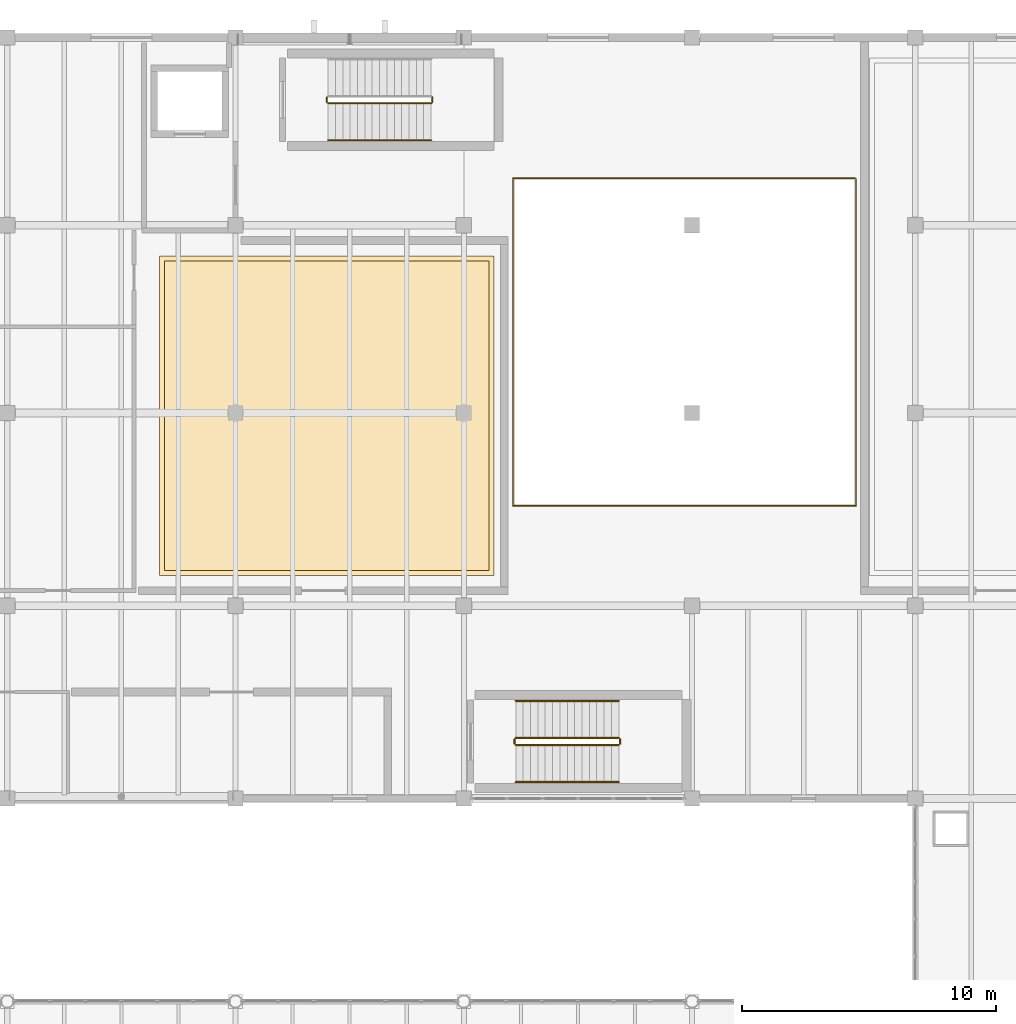
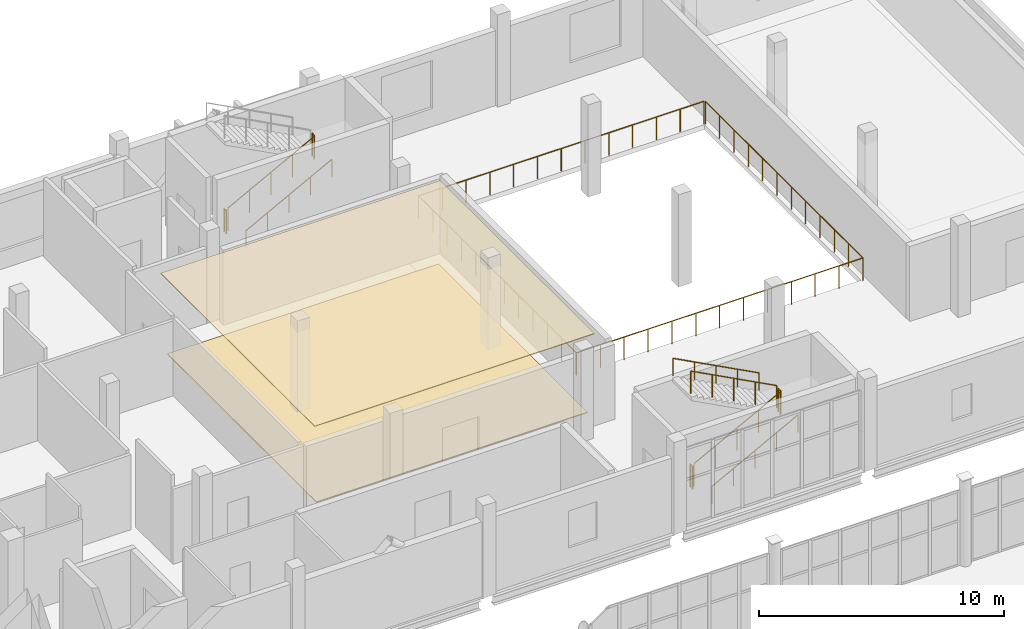
# One storey, part 135 of 136: 12 railings, 2 coverings.
"""IFC4 building model written with IfcOpenShell, lengths in metres."""

from ifc_helpers import new_model, si_unit, direction, frame, origin, origin_2d, place, context, subcontext, project, spatial, polyline, circle, outline, extrude, material, layer, layer_set, type_object, element, save


model = new_model("IFC4")

# Units and contexts
model_context = context("Model", 3, precision=1e-05, world=origin(), true_north=direction((0.0, 1.0)))
body_context = subcontext(model_context, "Body", "Model", "MODEL_VIEW")
ifc_project = project(units=[si_unit("LENGTHUNIT", "METRE"), si_unit("AREAUNIT", "SQUARE_METRE"), si_unit("VOLUMEUNIT", "CUBIC_METRE"), si_unit("PLANEANGLEUNIT", "RADIAN"), si_unit("MASSUNIT", "GRAM", prefix="KILO")], contexts=[model_context])

# Site, building, storey
site_placement = place(None, origin())
site = spatial("IfcSite", under=ifc_project, at=site_placement, CompositionType="ELEMENT")
building_placement = place(site_placement, origin())
building = spatial("IfcBuilding", under=site, at=building_placement, Name="Shengluoqiao Park Theatre", CompositionType="ELEMENT")
storey_placement = place(building_placement, frame((0.0, 0.0, 10.0)))
storey = spatial("IfcBuildingStorey", under=building, at=storey_placement, Name="L02", CompositionType="ELEMENT", Elevation=10.0)

# Coverings
ifc_material_1 = material(Name="Perforated timber acoustic", Category="wood")
ifc_layer_1 = layer(ifc_material_1, 0.0400390625, Name="Perforated timber acoustic")
ifc_layer_set_1 = layer_set([ifc_layer_1], Name="Perforated timber acoustic")
covering_type_1 = type_object("IfcCoveringType", Name="INT-COV-CLG2", PredefinedType="CEILING", material=ifc_layer_set_1)
covering_1_placement = place(storey_placement, frame((0.0, 0.0, 3.969970703125)))
element("IfcCovering", 1, at=covering_1_placement, inside=storey, type_object=covering_type_1, Name="Orchestra Rehearsal Perforated Timber Ceiling", PredefinedType="CEILING", context=body_context, shape_type="SweptSolid", body=[
    extrude(outline(polyline([(127.39990234375, 92.800048828125), (140.60009765625, 92.800048828125), (140.60009765625, 105.39990234375), (127.39990234375, 105.39990234375), (127.39990234375, 92.800048828125)])), origin(), (0.0, 0.0, 1.0), 0.0400390625),
])
ifc_material_2 = material(Name="Engineered oak acoustic parquet", Category="wood")
ifc_layer_2 = layer(ifc_material_2, 0.034912109375, Name="Engineered oak acoustic parquet")
ifc_layer_set_2 = layer_set([ifc_layer_2], Name="Engineered oak acoustic parquet")
covering_type_2 = type_object("IfcCoveringType", Name="INT-COV-FLR2", PredefinedType="FLOORING", material=ifc_layer_set_2)
covering_2_placement = place(storey_placement, origin())
element("IfcCovering", 2, at=covering_2_placement, inside=storey, type_object=covering_type_2, Name="Orchestra Rehearsal Oak Parquet", PredefinedType="FLOORING", context=body_context, shape_type="SweptSolid", body=[
    extrude(outline(polyline([(127.60009765625, 93.0), (140.39990234375, 93.0), (140.39990234375, 105.199951171875), (127.60009765625, 105.199951171875), (127.60009765625, 93.0)])), origin(), (0.0, 0.0, 1.0), 0.034912109375),
])

# Railings
ifc_material_3 = material(Name="Steel Q355", Category="steel")
railing_type_1 = type_object("IfcRailingType", Name="INT-RL-FLY115", PredefinedType="GUARDRAIL", material=ifc_material_3)
railing_1_placement = place(storey_placement, frame((141.340087890625, 95.5400390625, 0.0)))
element("IfcRailing", 3, at=railing_1_placement, inside=storey, type_object=railing_type_1, Name="L02 VOID-L02-PAINT South-East Balustrade 0012", PredefinedType="GUARDRAIL", context=body_context, shape_type="SweptSolid", body=[
    extrude(circle(Radius=0.02392578125, at=origin_2d()), frame((0.0, 0.0, 1.1259765625), z_axis=(1.0, 0.0, 0.0), x_axis=(0.0, 1.0, 0.0)), (0.0, 0.0, 1.0), 13.52001953125),
    extrude(circle(Radius=0.02392578125, at=origin_2d()), frame((13.52001953125, 0.0, 1.1259765625), z_axis=(0.0, 1.0, 0.0), x_axis=(-1.0, 0.0, 0.0)), (0.0, 0.0, 1.0), 12.8798828125),
    extrude(circle(Radius=0.02099609375, at=origin_2d()), origin(), (0.0, 0.0, 1.0), 1.101806640625),
    extrude(circle(Radius=0.02099609375, at=origin_2d()), frame((1.126708984375, 0.0, 0.0)), (0.0, 0.0, 1.0), 1.101806640625),
    extrude(circle(Radius=0.02099609375, at=origin_2d()), frame((2.25341796875, 0.0, 0.0)), (0.0, 0.0, 1.0), 1.101806640625),
    extrude(circle(Radius=0.02099609375, at=origin_2d()), frame((3.3798828125, 0.0, 0.0)), (0.0, 0.0, 1.0), 1.101806640625),
    extrude(circle(Radius=0.02099609375, at=origin_2d()), frame((4.506591796875, 0.0, 0.0)), (0.0, 0.0, 1.0), 1.101806640625),
    extrude(circle(Radius=0.02099609375, at=origin_2d()), frame((5.63330078125, 0.0, 0.0)), (0.0, 0.0, 1.0), 1.101806640625),
    extrude(circle(Radius=0.02099609375, at=origin_2d()), frame((6.760009765625, 0.0, 0.0)), (0.0, 0.0, 1.0), 1.101806640625),
    extrude(circle(Radius=0.02099609375, at=origin_2d()), frame((7.88671875, 0.0, 0.0)), (0.0, 0.0, 1.0), 1.101806640625),
    extrude(circle(Radius=0.02099609375, at=origin_2d()), frame((9.013427734375, 0.0, 0.0)), (0.0, 0.0, 1.0), 1.101806640625),
    extrude(circle(Radius=0.02099609375, at=origin_2d()), frame((10.14013671875, 0.0, 0.0)), (0.0, 0.0, 1.0), 1.101806640625),
    extrude(circle(Radius=0.02099609375, at=origin_2d()), frame((11.2666015625, 0.0, 0.0)), (0.0, 0.0, 1.0), 1.101806640625),
    extrude(circle(Radius=0.02099609375, at=origin_2d()), frame((12.393310546875, 0.0, 0.0)), (0.0, 0.0, 1.0), 1.101806640625),
    extrude(circle(Radius=0.02099609375, at=origin_2d()), frame((13.52001953125, 0.0, 0.0)), (0.0, 0.0, 1.0), 1.101806640625),
    extrude(circle(Radius=0.02099609375, at=origin_2d()), frame((13.52001953125, 1.1708984375, 0.0)), (0.0, 0.0, 1.0), 1.101806640625),
    extrude(circle(Radius=0.02099609375, at=origin_2d()), frame((13.52001953125, 2.341796875, 0.0)), (0.0, 0.0, 1.0), 1.101806640625),
    extrude(circle(Radius=0.02099609375, at=origin_2d()), frame((13.52001953125, 3.5126953125, 0.0)), (0.0, 0.0, 1.0), 1.101806640625),
    extrude(circle(Radius=0.02099609375, at=origin_2d()), frame((13.52001953125, 4.68359375, 0.0)), (0.0, 0.0, 1.0), 1.101806640625),
    extrude(circle(Radius=0.02099609375, at=origin_2d()), frame((13.52001953125, 5.8544921875, 0.0)), (0.0, 0.0, 1.0), 1.101806640625),
    extrude(circle(Radius=0.02099609375, at=origin_2d()), frame((13.52001953125, 7.025390625, 0.0)), (0.0, 0.0, 1.0), 1.101806640625),
    extrude(circle(Radius=0.02099609375, at=origin_2d()), frame((13.52001953125, 8.1962890625, 0.0)), (0.0, 0.0, 1.0), 1.101806640625),
    extrude(circle(Radius=0.02099609375, at=origin_2d()), frame((13.52001953125, 9.3671875, 0.0)), (0.0, 0.0, 1.0), 1.101806640625),
    extrude(circle(Radius=0.02099609375, at=origin_2d()), frame((13.52001953125, 10.5380859375, 0.0)), (0.0, 0.0, 1.0), 1.101806640625),
    extrude(circle(Radius=0.02099609375, at=origin_2d()), frame((13.52001953125, 11.708984375, 0.0)), (0.0, 0.0, 1.0), 1.101806640625),
    extrude(circle(Radius=0.02099609375, at=origin_2d()), frame((13.52001953125, 12.8798828125, 0.0)), (0.0, 0.0, 1.0), 1.101806640625),
])
railing_2_placement = place(storey_placement, frame((154.820068359375, 108.4599609375, 0.0)))
element("IfcRailing", 4, at=railing_2_placement, inside=storey, type_object=railing_type_1, Name="L02 VOID-L02-PAINT North-West Balustrade 0013", PredefinedType="GUARDRAIL", context=body_context, shape_type="SweptSolid", body=[
    extrude(circle(Radius=0.02392578125, at=origin_2d()), frame((0.0, 0.0, 1.1259765625), z_axis=(-1.0, 0.0, 0.0), x_axis=(0.0, -1.0, 0.0)), (0.0, 0.0, 1.0), 13.47998046875),
    extrude(circle(Radius=0.02392578125, at=origin_2d()), frame((-13.47998046875, 0.0, 1.1259765625), z_axis=(0.0, -1.0, 0.0), x_axis=(1.0, 0.0, 0.0)), (0.0, 0.0, 1.0), 12.8798828125),
    extrude(circle(Radius=0.02099609375, at=origin_2d()), origin(), (0.0, 0.0, 1.0), 1.101806640625),
    extrude(circle(Radius=0.02099609375, at=origin_2d()), frame((-1.123291015625, 0.0, 0.0)), (0.0, 0.0, 1.0), 1.101806640625),
    extrude(circle(Radius=0.02099609375, at=origin_2d()), frame((-2.24658203125, 0.0, 0.0)), (0.0, 0.0, 1.0), 1.101806640625),
    extrude(circle(Radius=0.02099609375, at=origin_2d()), frame((-3.3701171875, 0.0, 0.0)), (0.0, 0.0, 1.0), 1.101806640625),
    extrude(circle(Radius=0.02099609375, at=origin_2d()), frame((-4.493408203125, 0.0, 0.0)), (0.0, 0.0, 1.0), 1.101806640625),
    extrude(circle(Radius=0.02099609375, at=origin_2d()), frame((-5.61669921875, 0.0, 0.0)), (0.0, 0.0, 1.0), 1.101806640625),
    extrude(circle(Radius=0.02099609375, at=origin_2d()), frame((-6.739990234375, 0.0, 0.0)), (0.0, 0.0, 1.0), 1.101806640625),
    extrude(circle(Radius=0.02099609375, at=origin_2d()), frame((-7.86328125, 0.0, 0.0)), (0.0, 0.0, 1.0), 1.101806640625),
    extrude(circle(Radius=0.02099609375, at=origin_2d()), frame((-8.986572265625, 0.0, 0.0)), (0.0, 0.0, 1.0), 1.101806640625),
    extrude(circle(Radius=0.02099609375, at=origin_2d()), frame((-10.10986328125, 0.0, 0.0)), (0.0, 0.0, 1.0), 1.101806640625),
    extrude(circle(Radius=0.02099609375, at=origin_2d()), frame((-11.2333984375, 0.0, 0.0)), (0.0, 0.0, 1.0), 1.101806640625),
    extrude(circle(Radius=0.02099609375, at=origin_2d()), frame((-12.356689453125, 0.0, 0.0)), (0.0, 0.0, 1.0), 1.101806640625),
    extrude(circle(Radius=0.02099609375, at=origin_2d()), frame((-13.47998046875, 0.0, 0.0)), (0.0, 0.0, 1.0), 1.101806640625),
    extrude(circle(Radius=0.02099609375, at=origin_2d()), frame((-13.47998046875, -1.1708984375, 0.0)), (0.0, 0.0, 1.0), 1.101806640625),
    extrude(circle(Radius=0.02099609375, at=origin_2d()), frame((-13.47998046875, -2.341796875, 0.0)), (0.0, 0.0, 1.0), 1.101806640625),
    extrude(circle(Radius=0.02099609375, at=origin_2d()), frame((-13.47998046875, -3.5126953125, 0.0)), (0.0, 0.0, 1.0), 1.101806640625),
    extrude(circle(Radius=0.02099609375, at=origin_2d()), frame((-13.47998046875, -4.68359375, 0.0)), (0.0, 0.0, 1.0), 1.101806640625),
    extrude(circle(Radius=0.02099609375, at=origin_2d()), frame((-13.47998046875, -5.8544921875, 0.0)), (0.0, 0.0, 1.0), 1.101806640625),
    extrude(circle(Radius=0.02099609375, at=origin_2d()), frame((-13.47998046875, -7.025390625, 0.0)), (0.0, 0.0, 1.0), 1.101806640625),
    extrude(circle(Radius=0.02099609375, at=origin_2d()), frame((-13.47998046875, -8.1962890625, 0.0)), (0.0, 0.0, 1.0), 1.101806640625),
    extrude(circle(Radius=0.02099609375, at=origin_2d()), frame((-13.47998046875, -9.3671875, 0.0)), (0.0, 0.0, 1.0), 1.101806640625),
    extrude(circle(Radius=0.02099609375, at=origin_2d()), frame((-13.47998046875, -10.5380859375, 0.0)), (0.0, 0.0, 1.0), 1.101806640625),
    extrude(circle(Radius=0.02099609375, at=origin_2d()), frame((-13.47998046875, -11.708984375, 0.0)), (0.0, 0.0, 1.0), 1.101806640625),
    extrude(circle(Radius=0.02099609375, at=origin_2d()), frame((-13.47998046875, -12.8798828125, 0.0)), (0.0, 0.0, 1.0), 1.101806640625),
])
ifc_material_4 = material(Name="Painted steel", Category="steel")
railing_type_2 = type_object("IfcRailingType", Name="INT-RL-STGRD", PredefinedType="GUARDRAIL", material=ifc_material_4)
railing_3_placement = place(storey_placement, frame((134.050048828125, 111.409912109375, 0.1533203125)))
element("IfcRailing", 5, at=railing_3_placement, inside=storey, type_object=railing_type_2, Name="L02 ST-06 stair guard 1", PredefinedType="GUARDRAIL", context=body_context, shape_type="SweptSolid", body=[
    extrude(circle(Radius=0.02392578125, at=origin_2d()), frame((0.0, 0.0, 1.1259765625), z_axis=(0.884032182968, 0.0, 0.46742603637), x_axis=(0.0, 1.0, 0.0)), (0.0, 0.0, 1.0), 4.5927734375),
    extrude(circle(Radius=0.02099609375, at=origin_2d()), origin(), (0.0, 0.0, 1.0), 1.101806640625),
    extrude(circle(Radius=0.02099609375, at=origin_2d()), frame((1.01513671875, 0.0, 0.53662109375)), (0.0, 0.0, 1.0), 1.101806640625),
    extrude(circle(Radius=0.02099609375, at=origin_2d()), frame((2.030029296875, 0.0, 1.0732421875)), (0.0, 0.0, 1.0), 1.101806640625),
    extrude(circle(Radius=0.02099609375, at=origin_2d()), frame((3.044921875, 0.0, 1.610107421875)), (0.0, 0.0, 1.0), 1.101806640625),
    extrude(circle(Radius=0.02099609375, at=origin_2d()), frame((4.06005859375, 0.0, 2.146728515625)), (0.0, 0.0, 1.0), 1.101806640625),
])
for number, where, name in (
    (6, (138.159912109375, 111.4599609375, 2.300048828125), "L02 ST-06 stair guard 2"),
    (7, (134.0, 111.4599609375, 0.0), "L02 ST-06 stair guard 4"),
):
    element("IfcRailing", number, at=place(storey_placement, frame(where)), inside=storey, type_object=railing_type_2, Name=name, PredefinedType="GUARDRAIL", context=body_context, shape_type="SweptSolid", body=[
        extrude(circle(Radius=0.02392578125, at=origin_2d()), frame((0.0, 0.0, 1.1259765625), z_axis=(0.0, 1.0, 0.0), x_axis=(-1.0, 0.0, 0.0)), (0.0, 0.0, 1.0), 0.179931640625),
        extrude(circle(Radius=0.02099609375, at=origin_2d()), origin(), (0.0, 0.0, 1.0), 1.101806640625),
        extrude(circle(Radius=0.02099609375, at=origin_2d()), frame((0.0, 0.179931640625, 0.0)), (0.0, 0.0, 1.0), 1.101806640625),
    ])
railing_4_placement = place(storey_placement, frame((141.449951171875, 86.110107421875, 0.1533203125)))
element("IfcRailing", 8, at=railing_4_placement, inside=storey, type_object=railing_type_2, Name="L02 ST-10 stair guard 1", PredefinedType="GUARDRAIL", context=body_context, shape_type="SweptSolid", body=[
    extrude(circle(Radius=0.02392578125, at=origin_2d()), frame((0.0, 0.0, 1.1259765625), z_axis=(0.884032182968, 0.0, 0.46742603637), x_axis=(0.0, 1.0, 0.0)), (0.0, 0.0, 1.0), 4.5927734375),
    extrude(circle(Radius=0.02099609375, at=origin_2d()), origin(), (0.0, 0.0, 1.0), 1.101806640625),
    extrude(circle(Radius=0.02099609375, at=origin_2d()), frame((1.01513671875, 0.0, 0.53662109375)), (0.0, 0.0, 1.0), 1.101806640625),
    extrude(circle(Radius=0.02099609375, at=origin_2d()), frame((2.030029296875, 0.0, 1.0732421875)), (0.0, 0.0, 1.0), 1.101806640625),
    extrude(circle(Radius=0.02099609375, at=origin_2d()), frame((3.044921875, 0.0, 1.610107421875)), (0.0, 0.0, 1.0), 1.101806640625),
    extrude(circle(Radius=0.02099609375, at=origin_2d()), frame((4.06005859375, 0.0, 2.146728515625)), (0.0, 0.0, 1.0), 1.101806640625),
])
railing_5_placement = place(storey_placement, frame((145.56005859375, 86.159912109375, 2.300048828125)))
element("IfcRailing", 9, at=railing_5_placement, inside=storey, type_object=railing_type_2, Name="L02 ST-10 stair guard 2", PredefinedType="GUARDRAIL", context=body_context, shape_type="SweptSolid", body=[
    extrude(circle(Radius=0.02392578125, at=origin_2d()), frame((0.0, 0.0, 1.1259765625), z_axis=(0.0, 1.0, 0.0), x_axis=(-1.0, 0.0, 0.0)), (0.0, 0.0, 1.0), 0.18017578125),
    extrude(circle(Radius=0.02099609375, at=origin_2d()), origin(), (0.0, 0.0, 1.0), 1.101806640625),
    extrude(circle(Radius=0.02099609375, at=origin_2d()), frame((0.0, 0.18017578125, 0.0)), (0.0, 0.0, 1.0), 1.101806640625),
])
railing_6_placement = place(storey_placement, frame((145.510009765625, 86.389892578125, 2.453369140625)))
element("IfcRailing", 10, at=railing_6_placement, inside=storey, type_object=railing_type_2, Name="L02 ST-10 stair guard 3", PredefinedType="GUARDRAIL", context=body_context, shape_type="SweptSolid", body=[
    extrude(circle(Radius=0.02392578125, at=origin_2d()), frame((0.0, 0.0, 1.1259765625), z_axis=(-0.884032182968, 0.0, 0.46742603637), x_axis=(0.0, -1.0, 0.0)), (0.0, 0.0, 1.0), 4.5927734375),
    extrude(circle(Radius=0.02099609375, at=origin_2d()), origin(), (0.0, 0.0, 1.0), 1.101806640625),
    extrude(circle(Radius=0.02099609375, at=origin_2d()), frame((-1.01513671875, 0.0, 0.53662109375)), (0.0, 0.0, 1.0), 1.101806640625),
    extrude(circle(Radius=0.02099609375, at=origin_2d()), frame((-2.030029296875, 0.0, 1.0732421875)), (0.0, 0.0, 1.0), 1.101806640625),
    extrude(circle(Radius=0.02099609375, at=origin_2d()), frame((-3.044921875, 0.0, 1.610107421875)), (0.0, 0.0, 1.0), 1.101806640625),
    extrude(circle(Radius=0.02099609375, at=origin_2d()), frame((-4.06005859375, 0.0, 2.146728515625)), (0.0, 0.0, 1.0), 1.101806640625),
])
railing_7_placement = place(storey_placement, frame((141.39990234375, 86.159912109375, 0.0)))
element("IfcRailing", 11, at=railing_7_placement, inside=storey, type_object=railing_type_2, Name="L02 ST-10 stair guard 4", PredefinedType="GUARDRAIL", context=body_context, shape_type="SweptSolid", body=[
    extrude(circle(Radius=0.02392578125, at=origin_2d()), frame((0.0, 0.0, 1.1259765625), z_axis=(0.0, 1.0, 0.0), x_axis=(-1.0, 0.0, 0.0)), (0.0, 0.0, 1.0), 0.18017578125),
    extrude(circle(Radius=0.02099609375, at=origin_2d()), origin(), (0.0, 0.0, 1.0), 1.101806640625),
    extrude(circle(Radius=0.02099609375, at=origin_2d()), frame((0.0, 0.18017578125, 0.0)), (0.0, 0.0, 1.0), 1.101806640625),
])
ifc_material_5 = material(Name="Stainless steel 304", Category="steel")
railing_type_3 = type_object("IfcRailingType", Name="INT-RL-STHR", PredefinedType="HANDRAIL", material=ifc_material_5)
for number, where, name in (
    (12, (134.050048828125, 109.949951171875, 0.1533203125), "L02 ST-06 stair handrail 1"),
    (13, (141.449951171875, 84.64990234375, 0.1533203125), "L02 ST-10 stair handrail 1"),
):
    element("IfcRailing", number, at=place(storey_placement, frame(where)), inside=storey, type_object=railing_type_3, Name=name, PredefinedType="HANDRAIL", context=body_context, shape_type="SweptSolid", body=[
        extrude(circle(Radius=0.02392578125, at=origin_2d()), frame((0.0, 0.0, 0.8759765625), z_axis=(0.884032182968, 0.0, 0.46742603637), x_axis=(0.0, 1.0, 0.0)), (0.0, 0.0, 1.0), 4.5927734375),
        extrude(circle(Radius=0.02099609375, at=origin_2d()), origin(), (0.0, 0.0, 1.0), 0.851806640625),
        extrude(circle(Radius=0.02099609375, at=origin_2d()), frame((1.01513671875, 0.0, 0.53662109375)), (0.0, 0.0, 1.0), 0.851806640625),
        extrude(circle(Radius=0.02099609375, at=origin_2d()), frame((2.030029296875, 0.0, 1.0732421875)), (0.0, 0.0, 1.0), 0.851806640625),
        extrude(circle(Radius=0.02099609375, at=origin_2d()), frame((3.044921875, 0.0, 1.610107421875)), (0.0, 0.0, 1.0), 0.851806640625),
        extrude(circle(Radius=0.02099609375, at=origin_2d()), frame((4.06005859375, 0.0, 2.146728515625)), (0.0, 0.0, 1.0), 0.851806640625),
    ])
railing_8_placement = place(storey_placement, frame((145.510009765625, 87.85009765625, 2.453369140625)))
element("IfcRailing", 14, at=railing_8_placement, inside=storey, type_object=railing_type_3, Name="L02 ST-10 stair handrail 2", PredefinedType="HANDRAIL", context=body_context, shape_type="SweptSolid", body=[
    extrude(circle(Radius=0.02392578125, at=origin_2d()), frame((0.0, 0.0, 0.8759765625), z_axis=(-0.884032182968, 0.0, 0.46742603637), x_axis=(0.0, -1.0, 0.0)), (0.0, 0.0, 1.0), 4.5927734375),
    extrude(circle(Radius=0.02099609375, at=origin_2d()), origin(), (0.0, 0.0, 1.0), 0.851806640625),
    extrude(circle(Radius=0.02099609375, at=origin_2d()), frame((-1.01513671875, 0.0, 0.53662109375)), (0.0, 0.0, 1.0), 0.851806640625),
    extrude(circle(Radius=0.02099609375, at=origin_2d()), frame((-2.030029296875, 0.0, 1.0732421875)), (0.0, 0.0, 1.0), 0.851806640625),
    extrude(circle(Radius=0.02099609375, at=origin_2d()), frame((-3.044921875, 0.0, 1.610107421875)), (0.0, 0.0, 1.0), 0.851806640625),
    extrude(circle(Radius=0.02099609375, at=origin_2d()), frame((-4.06005859375, 0.0, 2.146728515625)), (0.0, 0.0, 1.0), 0.851806640625),
])

save(model, "model.ifc")
